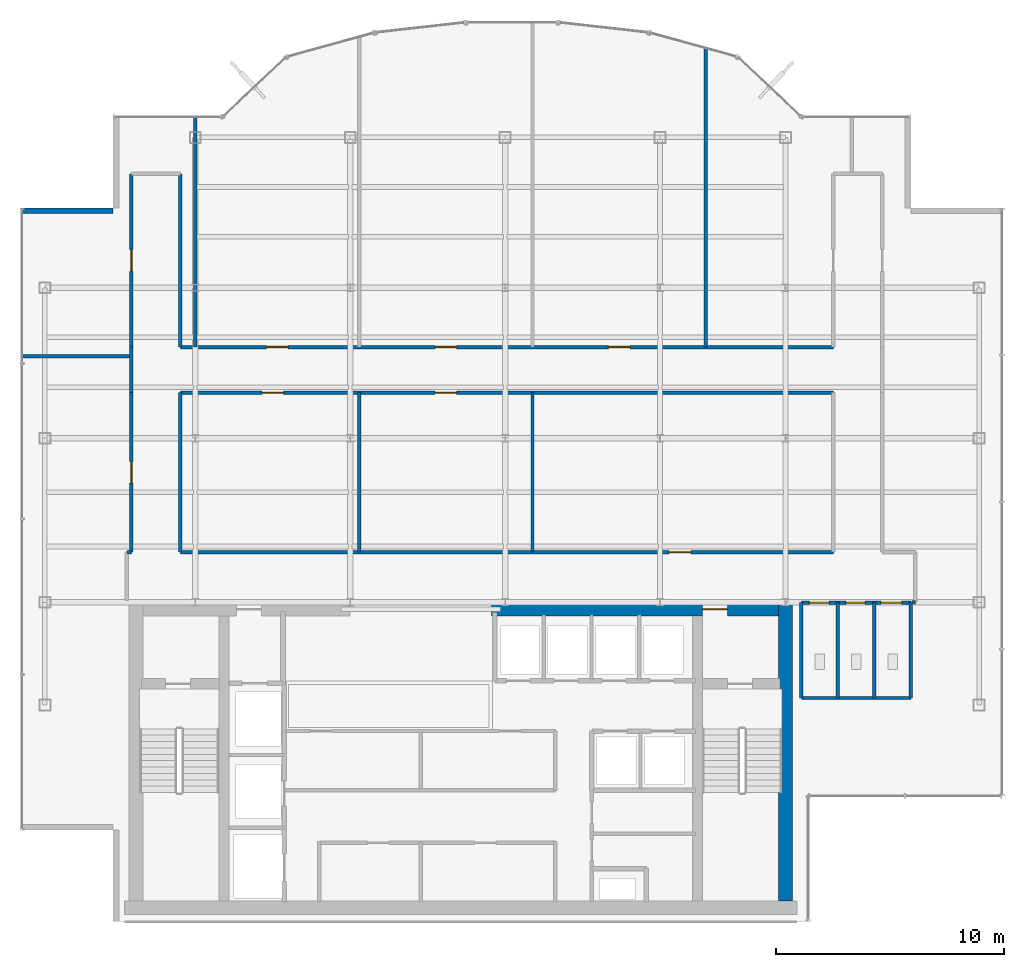
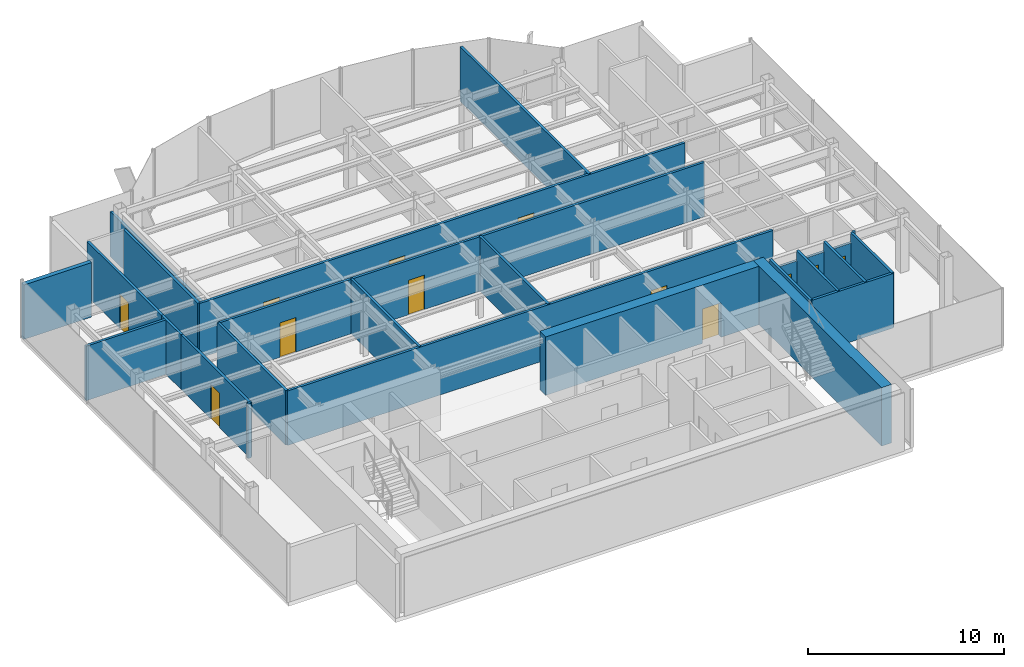
# One storey, part 18 of 22: 24 walls, 12 doors, 12 openings.
"""IFC4 building model written with IfcOpenShell, lengths in metres."""

import ifcopenshell
import ifcopenshell.guid

model = None  # the IFC model being written
_history = None  # IfcOwnerHistory: only IFC2X3 demands one
_inside = {}  # id of a spatial element -> (the spatial element, [elements in it])
_under = {}  # id of a project, library or spatial element -> (it, [spatial elements below it])
_declared = {}  # id of a project -> (the project, [libraries it declares])
_typed = {}  # id of a type object -> (the type object, [elements of that type])
_made_of = {}  # id of a material, layer set ... -> (it, [elements and type objects made of it])


def new_model(schema):
    """Start an empty IFC model of exactly this schema.

    Asked for "IFC4X3", IfcOpenShell would pick the latest addendum, in which some entities
    have other attributes; the version numbers below select the first issue.
    IFC2X3 requires an IfcOwnerHistory on every rooted entity: one is made here for all.
    """
    global model, _history
    if schema == "IFC4X3":
        model = ifcopenshell.file(schema_version=(4, 3, 0, 0))
    else:
        model = ifcopenshell.file(schema=schema)
    _inside.clear()
    _under.clear()
    _declared.clear()
    _typed.clear()
    _made_of.clear()
    _history = None
    if model.schema == "IFC2X3":
        org = make("IfcOrganization", Name="unknown")
        user = make(
            "IfcPersonAndOrganization",
            ThePerson=make("IfcPerson", FamilyName="unknown"),
            TheOrganization=org,
        )
        app = make(
            "IfcApplication",
            ApplicationDeveloper=org,
            Version="unknown",
            ApplicationFullName="unknown",
            ApplicationIdentifier="unknown",
        )
        _history = make(
            "IfcOwnerHistory",
            OwningUser=user,
            OwningApplication=app,
            ChangeAction="ADDED",
            CreationDate=0,
        )
    return model


def make(cls, **values):
    """One entity of the class cls with the attributes given. An attribute that is None is left unset."""
    return model.create_entity(
        cls, **{name: value for name, value in values.items() if value is not None}
    )


def rooted(cls, **values):
    """An entity with a GlobalId (a new one), such as an element, a storey or a relation."""
    return make(cls, GlobalId=ifcopenshell.guid.new(), OwnerHistory=_history, **values)


def si_unit(unit_type, name, prefix=None):
    """IfcSIUnit, for example si_unit("LENGTHUNIT", "METRE", prefix="MILLI")."""
    return make("IfcSIUnit", UnitType=unit_type, Prefix=prefix, Name=name)


def derived_unit(unit_type, elements):
    """IfcDerivedUnit: a product of units, each with its exponent."""
    return make(
        "IfcDerivedUnit",
        Elements=[
            make("IfcDerivedUnitElement", Unit=unit, Exponent=power)
            for unit, power in elements
        ],
        UnitType=unit_type,
    )


def assignment(units):
    """IfcUnitAssignment: the units of a project."""
    return None if units is None else make("IfcUnitAssignment", Units=units)


def point(xyz):
    """IfcCartesianPoint."""
    return None if xyz is None else make("IfcCartesianPoint", Coordinates=xyz)


def direction(xyz):
    """IfcDirection."""
    return None if xyz is None else make("IfcDirection", DirectionRatios=xyz)


def frame(location, z_axis=None, x_axis=None):
    """IfcAxis2Placement3D, a coordinate frame: its origin and axes. An axis left out is left unset."""
    return make(
        "IfcAxis2Placement3D",
        Location=point(location),
        Axis=direction(z_axis),
        RefDirection=direction(x_axis),
    )


def frame_2d(location, x_axis=None):
    """IfcAxis2Placement2D, a coordinate frame in the plane: its origin and x axis."""
    return make(
        "IfcAxis2Placement2D", Location=point(location), RefDirection=direction(x_axis)
    )


def origin():
    """The frame at (0, 0, 0) with its axes left unset."""
    return frame((0.0, 0.0, 0.0))


def place(relative_to, where):
    """IfcLocalPlacement: puts the frame where relative to a parent placement (None: the world)."""
    return make(
        "IfcLocalPlacement", PlacementRelTo=relative_to, RelativePlacement=where
    )


def context(
    kind, dimensions, precision=None, world=None, true_north=None, identifier=None
):
    """IfcGeometricRepresentationContext, for example the 3D "Model" context."""
    return make(
        "IfcGeometricRepresentationContext",
        ContextIdentifier=identifier,
        ContextType=kind,
        CoordinateSpaceDimension=dimensions,
        Precision=precision,
        WorldCoordinateSystem=world,
        TrueNorth=true_north,
    )


def subcontext(parent, identifier, kind, view, scale=None):
    """IfcGeometricRepresentationSubContext, for example "Body" below "Model"."""
    return make(
        "IfcGeometricRepresentationSubContext",
        ContextIdentifier=identifier,
        ContextType=kind,
        ParentContext=parent,
        TargetScale=scale,
        TargetView=view,
    )


def project(units=None, contexts=None):
    """IfcProject with its units and contexts."""
    return rooted(
        "IfcProject",
        Name="project",
        RepresentationContexts=contexts,
        UnitsInContext=assignment(units),
    )


def spatial(cls, under=None, at=None, **own):
    """A site, building, storey or space (cls), placed at a placement, below another one or the project."""
    s = rooted(cls, ObjectPlacement=at, **own)
    if under is not None:
        _under.setdefault(under.id(), (under, []))[1].append(s)
    return s


def profile(cls, at=None, kind="AREA", **sizes):
    """A parametric profile (cls). Its sizes go by their IFC names, for example OverallWidth=200.0."""
    return make(cls, ProfileType=kind, Position=at, **sizes)


def rectangle(**sizes):
    """IfcRectangleProfileDef."""
    return profile("IfcRectangleProfileDef", **sizes)


def extrude(swept, where, along, depth):
    """IfcExtrudedAreaSolid: the profile swept, set in the frame where, extruded along a direction by depth."""
    return make(
        "IfcExtrudedAreaSolid",
        SweptArea=swept,
        Position=where,
        ExtrudedDirection=direction(along),
        Depth=depth,
    )


def shape(context_of_items, identifier, shape_type, items):
    """IfcShapeRepresentation: the items that make up one representation, for example the "Body"."""
    return make(
        "IfcShapeRepresentation",
        ContextOfItems=context_of_items,
        RepresentationIdentifier=identifier,
        RepresentationType=shape_type,
        Items=items,
    )


def source(mapping_origin, context_of_items, identifier, shape_type, items):
    """IfcRepresentationMap: a shape defined once, which mapped items show again and again."""
    return make(
        "IfcRepresentationMap",
        MappingOrigin=mapping_origin,
        MappedRepresentation=shape(context_of_items, identifier, shape_type, items),
    )


def transform(
    local_origin,
    x_axis=None,
    y_axis=None,
    z_axis=None,
    scale=None,
    scale2=None,
    scale3=None,
    uniform=True,
):
    """IfcCartesianTransformationOperator3D, or its non-uniform kind. x_axis, y_axis, z_axis: its Axis1, 2, 3."""
    if uniform:
        return make(
            "IfcCartesianTransformationOperator3D",
            Axis1=direction(x_axis),
            Axis2=direction(y_axis),
            LocalOrigin=point(local_origin),
            Scale=scale,
            Axis3=direction(z_axis),
        )
    return make(
        "IfcCartesianTransformationOperator3DnonUniform",
        Axis1=direction(x_axis),
        Axis2=direction(y_axis),
        LocalOrigin=point(local_origin),
        Scale=scale,
        Axis3=direction(z_axis),
        Scale2=scale2,
        Scale3=scale3,
    )


def mapped(mapping_source, mapping_target):
    """IfcMappedItem: shows the shape of a source again, moved by a transform."""
    return make(
        "IfcMappedItem", MappingSource=mapping_source, MappingTarget=mapping_target
    )


def material(Name=None, Category=None):
    """IfcMaterial."""
    return make("IfcMaterial", Name=Name, Category=Category)


def layer(
    of_material, thickness, ventilated=None, Name=None, Category=None, Priority=None
):
    """IfcMaterialLayer: one layer of a wall or slab, of a material (None: an air gap)."""
    return make(
        "IfcMaterialLayer",
        Material=of_material,
        LayerThickness=thickness,
        IsVentilated=ventilated,
        Name=Name,
        Category=Category,
        Priority=Priority,
    )


def layer_set(layers, Name=None):
    """IfcMaterialLayerSet."""
    return make("IfcMaterialLayerSet", MaterialLayers=layers, LayerSetName=Name)


def made_of(thing, what):
    """Note that an element or type object is made of a material, layer set ...; save() writes the relation."""
    if what is not None:
        _made_of.setdefault(what.id(), (what, []))[1].append(thing)
    return thing


def type_object(cls, material=None, **own):
    """A type object (cls), such as IfcWallType, which elements share."""
    return made_of(rooted(cls, **own), material)


def element(
    cls,
    number,
    at=None,
    inside=None,
    cuts=None,
    type_object=None,
    material=None,
    context=None,
    identifier="Body",
    shape_type=None,
    held_by="IfcProductDefinitionShape",
    body=None,
    shapes=None,
    **own,
):
    """One element of the class cls, such as IfcWall. Its Tag is "e" and its number.

    at: its placement. inside: the storey or other place that contains it. cuts: it is an
    opening in that element (IfcRelVoidsElement). A single representation is given by context,
    identifier, shape_type and body (its items); several are given by shapes. held_by: the class
    of the entity that holds the representations. save() writes the other relations.
    """
    e = rooted(cls, Tag="e%d" % number, ObjectPlacement=at, **own)
    if body is not None:
        shapes = [shape(context, identifier, shape_type, body)]
    if shapes is not None:
        e.Representation = make(held_by, Representations=shapes)
    if inside is not None:
        _inside.setdefault(inside.id(), (inside, []))[1].append(e)
    if cuts is not None:
        rooted(
            "IfcRelVoidsElement", RelatingBuildingElement=cuts, RelatedOpeningElement=e
        )
    if type_object is not None:
        _typed.setdefault(type_object.id(), (type_object, []))[1].append(e)
    return made_of(e, material)


def fill(opening, filler):
    """IfcRelFillsElement: the door or window that sits in an opening."""
    return rooted(
        "IfcRelFillsElement",
        RelatingOpeningElement=opening,
        RelatedBuildingElement=filler,
    )


def aggregate(whole, parts):
    """IfcRelAggregates: a whole, such as a stair, and the parts it consists of."""
    return rooted("IfcRelAggregates", RelatingObject=whole, RelatedObjects=parts)


def save(model, path):
    """Write the relations noted so far, then the file.

    IfcRelAggregates (storeys below a building ...), IfcRelContainedInSpatialStructure (elements
    in a storey), IfcRelDefinesByType, IfcRelAssociatesMaterial and IfcRelDeclares: one each for
    every whole, place, type object, material and project.
    """
    for whole, parts in _under.values():
        aggregate(whole, parts)
    for where, things in _inside.values():
        rooted(
            "IfcRelContainedInSpatialStructure",
            RelatedElements=things,
            RelatingStructure=where,
        )
    for kind, things in _typed.values():
        rooted("IfcRelDefinesByType", RelatedObjects=things, RelatingType=kind)
    for what, things in _made_of.values():
        rooted("IfcRelAssociatesMaterial", RelatedObjects=things, RelatingMaterial=what)
    for by, libraries in _declared.values():
        rooted("IfcRelDeclares", RelatingContext=by, RelatedDefinitions=libraries)
    model.write(path)


model = new_model("IFC4")

# Units and contexts
model_context = context("Model", 3, precision=1e-05, world=origin(), true_north=direction((0.0, 1.0)))
body_context = subcontext(model_context, "Body", "Model", "MODEL_VIEW")
ifc_project = project(units=[si_unit("LENGTHUNIT", "METRE"), si_unit("AREAUNIT", "SQUARE_METRE"), si_unit("VOLUMEUNIT", "CUBIC_METRE"), si_unit("PLANEANGLEUNIT", "RADIAN"), si_unit("MASSUNIT", "GRAM", prefix="KILO"), derived_unit("THERMALTRANSMITTANCEUNIT", [(si_unit("POWERUNIT", "WATT"), 1), (si_unit("LENGTHUNIT", "METRE"), -2), (si_unit("THERMODYNAMICTEMPERATUREUNIT", "KELVIN"), -1)])], contexts=[model_context])

# Site, building, storey
site_placement = place(None, origin())
site = spatial("IfcSite", under=ifc_project, at=site_placement, CompositionType="ELEMENT")
building_placement = place(site_placement, origin())
building = spatial("IfcBuilding", under=site, at=building_placement, Name="Skarnbrae Concourse Arena and Tower", CompositionType="ELEMENT")
storey_placement = place(building_placement, frame((0.0, 0.0, 251.5)))
storey = spatial("IfcBuildingStorey", under=building, at=storey_placement, Name="L65", CompositionType="ELEMENT", Elevation=251.5)

# Wall
ifc_material_1 = material(Name="Concrete 50 MPa (C50/60)", Category="concrete")
ifc_layer_1 = layer(ifc_material_1, 0.60009765625)
ifc_layer_set_1 = layer_set([ifc_layer_1], Name="Concrete 50 MPa (C50/60)")
wall_type_1 = type_object("IfcWallType", Name="WALL-CORE-600-C50", PredefinedType="SHEAR", material=ifc_layer_set_1)
shared_shape_1 = source(origin(), body_context, "Body", "SweptSolid", [
    extrude(rectangle(XDim=13.10009765625, YDim=0.60009765625, at=frame_2d((6.550048828125, 0.0))), origin(), (0.0, 0.0, 1.0), 3.64990234375),
])
wall_1_placement = place(storey_placement, frame((33.5, 0.89990234375, 0.0), z_axis=(0.0, 0.0, 1.0), x_axis=(0.0, 1.0, 0.0)))
element("IfcWall", 1, at=wall_1_placement, inside=storey, type_object=wall_type_1, Name="L65 Rear core shear wall CW-E", PredefinedType="SHEAR", context=body_context, shape_type="MappedRepresentation", body=[
    mapped(shared_shape_1, transform((0.0, 0.0, 0.0))),
])

# Wall, opening, door
shared_shape_2 = source(origin(), body_context, "Body", "SweptSolid", [
    extrude(rectangle(XDim=12.599853515625, YDim=0.60009765625, at=frame_2d((6.2998046875, 0.0))), origin(), (0.0, 0.0, 1.0), 3.64990234375),
])
wall_2_placement = place(storey_placement, frame((20.60009765625, 13.699951171875, 0.0), z_axis=(0.0, 0.0, 1.0), x_axis=(1.0, 0.0, 0.0)))
wall_2 = element("IfcWall", 2, at=wall_2_placement, inside=storey, type_object=wall_type_1, Name="L65 Rear core shear wall CW-NE", PredefinedType="SHEAR", context=body_context, shape_type="MappedRepresentation", body=[
    mapped(shared_shape_2, transform((0.0, 0.0, 0.0))),
])
opening_1_placement = place(wall_2_placement, frame((9.25, 0.0, 0.0)))
opening_1 = element("IfcOpeningElement", 3, at=opening_1_placement, cuts=wall_2, Name="Opening DT-03", PredefinedType="OPENING", context=body_context, shape_type="SweptSolid", body=[
    extrude(rectangle(XDim=1.10009765625, YDim=2.14990234375, at=frame_2d((0.550048828125, 1.074951171875))), frame((0.0, 0.31005859375, 0.0), z_axis=(0.0, -1.0, 0.0), x_axis=(1.0, 0.0, 0.0)), (0.0, 0.0, 1.0), 0.6201171875),
])
ifc_material_2 = material(Name="Steel CSA G40.21 350W", Category="steel")
door_type_1 = type_object("IfcDoorType", Name="DOOR-FIRE-1100-90M", OperationType="NOTDEFINED", PredefinedType="DOOR", material=ifc_material_2)
shared_shape_3 = source(origin(), body_context, "Body", "SweptSolid", [
    extrude(rectangle(XDim=1.10009765625, YDim=2.14990234375, at=frame_2d((0.550048828125, 1.074951171875))), frame((0.0, 0.02490234375, 0.0), z_axis=(0.0, -1.0, 0.0), x_axis=(1.0, 0.0, 0.0)), (0.0, 0.0, 1.0), 0.050048828125),
])
door_1_placement = place(opening_1_placement, origin())
door_1 = element("IfcDoor", 4, at=door_1_placement, inside=storey, type_object=door_type_1, Name="D-1956 Stair ST-2 Vestibule Door", OperationType="SINGLE_SWING_LEFT", OverallHeight=2.14990234375, OverallWidth=1.10009765625, PredefinedType="DOOR", context=body_context, shape_type="MappedRepresentation", body=[
    mapped(shared_shape_3, transform((0.0, 0.0, 0.0))),
])
fill(opening_1, door_1)

# Walls
ifc_material_3 = material(Name="Precast concrete 40 MPa (C40/50)", Category="concrete")
ifc_layer_2 = layer(ifc_material_3, 0.25)
ifc_layer_set_2 = layer_set([ifc_layer_2], Name="Precast concrete 40 MPa (C40/50)")
wall_type_2 = type_object("IfcWallType", Name="WALL-EXT-SPANDREL-250", PredefinedType="STANDARD", material=ifc_layer_set_2)
shared_shape_4 = source(origin(), body_context, "Body", "SweptSolid", [
    extrude(rectangle(XDim=4.0, YDim=0.25, at=frame_2d((2.0, 0.0))), origin(), (0.0, 0.0, 1.0), 3.39990234375),
])
wall_3_placement = place(storey_placement, frame((4.0, 31.175048828125, 0.0), z_axis=(0.0, 0.0, 1.0), x_axis=(-1.0, 0.0, 0.0)))
element("IfcWall", 5, at=wall_3_placement, inside=storey, type_object=wall_type_2, Name="L65 Notched corner insulated return wall 17", PredefinedType="STANDARD", context=body_context, shape_type="MappedRepresentation", body=[
    mapped(shared_shape_4, transform((0.0, 0.0, 0.0))),
])
ifc_material_4 = material(Name="Gypsum board on cold-formed steel studs", Category="steel")
ifc_layer_3 = layer(ifc_material_4, 0.14990234375)
ifc_layer_set_3 = layer_set([ifc_layer_3], Name="Gypsum board on cold-formed steel studs")
wall_type_3 = type_object("IfcWallType", Name="WALL-PART-150", PredefinedType="PARTITIONING", material=ifc_layer_set_3)
shared_shape_5 = source(origin(), body_context, "Body", "SweptSolid", [
    extrude(rectangle(XDim=4.800048828125, YDim=0.14990234375, at=frame_2d((2.39990234375, 0.0))), origin(), (0.0, 0.0, 1.0), 3.39990234375),
])
wall_4_placement = place(storey_placement, frame((34.199951171875, 9.800048828125, 0.0), z_axis=(0.0, 0.0, 1.0), x_axis=(1.0, 0.0, 0.0)))
element("IfcWall", 6, at=wall_4_placement, inside=storey, type_object=wall_type_3, Name="L65 Interior partition wall W-L65-WC-S", PredefinedType="PARTITIONING", context=body_context, shape_type="MappedRepresentation", body=[
    mapped(shared_shape_5, transform((0.0, 0.0, 0.0))),
])
shared_shape_6 = source(origin(), body_context, "Body", "SweptSolid", [
    extrude(rectangle(XDim=4.179931640625, YDim=0.14990234375, at=frame_2d((2.08984375, 0.0))), origin(), (0.0, 0.0, 1.0), 3.39990234375),
])
for number, where, z_axis, x_axis, name in (
    (7, (39.0, 9.800048828125, 0.0), (0.0, 0.0, 1.0), (0.0, 1.0, 0.0), "L65 Interior partition wall W-L65-WC-E"),
    (8, (34.199951171875, 9.800048828125, 0.0), (0.0, 0.0, 1.0), (0.0, 1.0, 0.0), "L65 Interior partition wall W-L65-WC-W"),
    (9, (35.800048828125, 9.800048828125, 0.0), (0.0, 0.0, 1.0), (0.0, 1.0, 0.0), "L65 Interior partition wall W-L65-WC-D1"),
    (10, (37.39990234375, 9.800048828125, 0.0), (0.0, 0.0, 1.0), (0.0, 1.0, 0.0), "L65 Interior partition wall W-L65-WC-D2"),
):
    element("IfcWall", number, at=place(storey_placement, frame(where, z_axis=z_axis, x_axis=x_axis)), inside=storey, type_object=wall_type_3, Name=name, PredefinedType="PARTITIONING", context=body_context, shape_type="MappedRepresentation", body=[
        mapped(shared_shape_6, transform((0.0, 0.0, 0.0))),
    ])
ifc_layer_4 = layer(ifc_material_4, 0.14990234375)
ifc_layer_set_4 = layer_set([ifc_layer_4], Name="Gypsum board on cold-formed steel studs")
wall_type_4 = type_object("IfcWallType", Name="WALL-PART-150-1HR", PredefinedType="PARTITIONING", material=ifc_layer_set_4)
shared_shape_7 = source(origin(), body_context, "Body", "SweptSolid", [
    extrude(rectangle(XDim=0.199951171875, YDim=0.14990234375, at=frame_2d((0.10009765625, 0.0))), origin(), (0.0, 0.0, 1.0), 3.39990234375),
])
wall_5_placement = place(storey_placement, frame((4.60009765625, 16.199951171875, 0.0), z_axis=(0.0, 0.0, 1.0), x_axis=(1.0, 0.0, 0.0)))
element("IfcWall", 11, at=wall_5_placement, inside=storey, type_object=wall_type_4, Name="L65 Interior partition wall W-L65-COR-02", PredefinedType="PARTITIONING", context=body_context, shape_type="MappedRepresentation", body=[
    mapped(shared_shape_7, transform((0.0, 0.0, 0.0))),
])

# Wall, opening, door
shared_shape_8 = source(origin(), body_context, "Body", "SweptSolid", [
    extrude(rectangle(XDim=7.60009765625, YDim=0.14990234375, at=frame_2d((3.800048828125, 0.0))), origin(), (0.0, 0.0, 1.0), 3.39990234375),
])
wall_6_placement = place(storey_placement, frame((4.800048828125, 25.199951171875, 0.0), z_axis=(0.0, 0.0, 1.0), x_axis=(0.0, 1.0, 0.0)))
wall_6 = element("IfcWall", 12, at=wall_6_placement, inside=storey, type_object=wall_type_4, Name="L65 Interior partition wall W-L65-COR-05", PredefinedType="PARTITIONING", context=body_context, shape_type="MappedRepresentation", body=[
    mapped(shared_shape_8, transform((0.0, 0.0, 0.0))),
])
opening_2_placement = place(wall_6_placement, frame((3.324951171875, 0.0, 0.0)))
opening_2 = element("IfcOpeningElement", 13, at=opening_2_placement, cuts=wall_6, Name="Opening DT-04", PredefinedType="OPENING", context=body_context, shape_type="SweptSolid", body=[
    extrude(rectangle(XDim=0.949951171875, YDim=2.14990234375, at=frame_2d((0.47509765625, 1.074951171875))), frame((0.0, 0.0849609375, 0.0), z_axis=(0.0, -1.0, 0.0), x_axis=(1.0, 0.0, 0.0)), (0.0, 0.0, 1.0), 0.169921875),
])
door_type_2 = type_object("IfcDoorType", Name="DOOR-INT-950-45M", OperationType="NOTDEFINED", PredefinedType="DOOR", material=ifc_material_2)
shared_shape_9 = source(origin(), body_context, "Body", "SweptSolid", [
    extrude(rectangle(XDim=0.949951171875, YDim=2.14990234375, at=frame_2d((0.47509765625, 1.074951171875))), frame((0.0, 0.02490234375, 0.0), z_axis=(0.0, -1.0, 0.0), x_axis=(1.0, 0.0, 0.0)), (0.0, 0.0, 1.0), 0.050048828125),
])
door_2_placement = place(opening_2_placement, origin())
door_2 = element("IfcDoor", 14, at=door_2_placement, inside=storey, type_object=door_type_2, Name="D-1976 L65 Suite Door 02", OperationType="SINGLE_SWING_RIGHT", OverallHeight=2.14990234375, OverallWidth=0.949951171875, PredefinedType="DOOR", context=body_context, shape_type="MappedRepresentation", body=[
    mapped(shared_shape_9, transform((0.0, 0.0, 0.0))),
])
fill(opening_2, door_2)

# Wall
wall_7_placement = place(storey_placement, frame((6.949951171875, 32.800048828125, 0.0), z_axis=(0.0, 0.0, 1.0), x_axis=(0.0, -1.0, 0.0)))
element("IfcWall", 15, at=wall_7_placement, inside=storey, type_object=wall_type_4, Name="L65 Interior partition wall W-L65-COR-07", PredefinedType="PARTITIONING", context=body_context, shape_type="MappedRepresentation", body=[
    mapped(shared_shape_8, transform((0.0, 0.0, 0.0))),
])

# Wall, opening, door
shared_shape_10 = source(origin(), body_context, "Body", "SweptSolid", [
    extrude(rectangle(XDim=7.0, YDim=0.14990234375, at=frame_2d((3.5, 0.0))), origin(), (0.0, 0.0, 1.0), 3.39990234375),
])
wall_8_placement = place(storey_placement, frame((4.800048828125, 16.199951171875, 0.0), z_axis=(0.0, 0.0, 1.0), x_axis=(0.0, 1.0, 0.0)))
wall_8 = element("IfcWall", 16, at=wall_8_placement, inside=storey, type_object=wall_type_4, Name="L65 Interior partition wall W-L65-COR-03", PredefinedType="PARTITIONING", context=body_context, shape_type="MappedRepresentation", body=[
    mapped(shared_shape_10, transform((0.0, 0.0, 0.0))),
])
opening_3_placement = place(wall_8_placement, frame((3.02490234375, 0.0, 0.0)))
opening_3 = element("IfcOpeningElement", 17, at=opening_3_placement, cuts=wall_8, Name="Opening DT-04", PredefinedType="OPENING", context=body_context, shape_type="SweptSolid", body=[
    extrude(rectangle(XDim=0.949951171875, YDim=2.14990234375, at=frame_2d((0.47509765625, 1.074951171875))), frame((0.0, 0.0849609375, 0.0), z_axis=(0.0, -1.0, 0.0), x_axis=(1.0, 0.0, 0.0)), (0.0, 0.0, 1.0), 0.169921875),
])
door_3_placement = place(opening_3_placement, origin())
door_3 = element("IfcDoor", 18, at=door_3_placement, inside=storey, type_object=door_type_2, Name="D-1975 L65 Suite Door 01", OperationType="SINGLE_SWING_LEFT", OverallHeight=2.14990234375, OverallWidth=0.949951171875, PredefinedType="DOOR", context=body_context, shape_type="MappedRepresentation", body=[
    mapped(shared_shape_9, transform((0.0, 0.0, 0.0))),
])
fill(opening_3, door_3)

# Walls
wall_9_placement = place(storey_placement, frame((6.949951171875, 23.199951171875, 0.0), z_axis=(0.0, 0.0, 1.0), x_axis=(0.0, -1.0, 0.0)))
element("IfcWall", 19, at=wall_9_placement, inside=storey, type_object=wall_type_4, Name="L65 Interior partition wall W-L65-COR-20", PredefinedType="PARTITIONING", context=body_context, shape_type="MappedRepresentation", body=[
    mapped(shared_shape_10, transform((0.0, 0.0, 0.0))),
])
for number, where, z_axis, x_axis, name in (
    (20, (14.800048828125, 23.199951171875, 0.0), (0.0, 0.0, 1.0), (0.0, -1.0, 0.0), "L65 Interior partition wall W-L65-DEM-23"),
    (21, (22.39990234375, 23.199951171875, 0.0), (0.0, 0.0, 1.0), (0.0, -1.0, 0.0), "L65 Interior partition wall W-L65-DEM-25"),
):
    element("IfcWall", number, at=place(storey_placement, frame(where, z_axis=z_axis, x_axis=x_axis)), inside=storey, type_object=wall_type_3, Name=name, PredefinedType="PARTITIONING", context=body_context, shape_type="MappedRepresentation", body=[
        mapped(shared_shape_10, transform((0.0, 0.0, 0.0))),
    ])
shared_shape_11 = source(origin(), body_context, "Body", "SweptSolid", [
    extrude(rectangle(XDim=0.14990234375, YDim=0.14990234375, at=frame_2d((0.074951171875, 0.0))), origin(), (0.0, 0.0, 1.0), 3.39990234375),
])
wall_10_placement = place(storey_placement, frame((39.199951171875, 14.0, 0.0), z_axis=(0.0, 0.0, 1.0), x_axis=(-1.0, 0.0, 0.0)))
element("IfcWall", 22, at=wall_10_placement, inside=storey, type_object=wall_type_4, Name="L65 Interior partition wall W-L65-COR-16", PredefinedType="PARTITIONING", context=body_context, shape_type="MappedRepresentation", body=[
    mapped(shared_shape_11, transform((0.0, 0.0, 0.0))),
])

# Wall, openings, doors
shared_shape_12 = source(origin(), body_context, "Body", "SweptSolid", [
    extrude(rectangle(XDim=4.800048828125, YDim=0.14990234375, at=frame_2d((2.39990234375, 0.0))), origin(), (0.0, 0.0, 1.0), 2.787109375),
])
wall_11_placement = place(storey_placement, frame((34.199951171875, 13.97998046875, 0.0), z_axis=(0.0, 0.0, 1.0), x_axis=(1.0, 0.0, 0.0)))
wall_11 = element("IfcWall", 23, at=wall_11_placement, inside=storey, type_object=wall_type_3, Name="L65 Interior partition wall W-L65-WC-N", PredefinedType="PARTITIONING", context=body_context, shape_type="MappedRepresentation", body=[
    mapped(shared_shape_12, transform((0.0, 0.0, 0.0))),
])
opening_4_placement = place(wall_11_placement, frame((0.35009765625, 0.0, 0.0)))
opening_4 = element("IfcOpeningElement", 24, at=opening_4_placement, cuts=wall_11, Name="Opening DT-06", PredefinedType="OPENING", context=body_context, shape_type="SweptSolid", body=[
    extrude(rectangle(XDim=0.85009765625, YDim=2.10009765625, at=frame_2d((0.425048828125, 1.050048828125))), frame((0.0, 0.0849609375, 0.0), z_axis=(0.0, -1.0, 0.0), x_axis=(1.0, 0.0, 0.0)), (0.0, 0.0, 1.0), 0.169921875),
])
opening_5_placement = place(wall_11_placement, frame((1.949951171875, 0.0, 0.0)))
opening_5 = element("IfcOpeningElement", 25, at=opening_5_placement, cuts=wall_11, Name="Opening DT-06", PredefinedType="OPENING", context=body_context, shape_type="SweptSolid", body=[
    extrude(rectangle(XDim=0.85009765625, YDim=2.10009765625, at=frame_2d((0.425048828125, 1.050048828125))), frame((0.0, 0.0849609375, 0.0), z_axis=(0.0, -1.0, 0.0), x_axis=(1.0, 0.0, 0.0)), (0.0, 0.0, 1.0), 0.169921875),
])
opening_6_placement = place(wall_11_placement, frame((3.5, 0.0, 0.0)))
opening_6 = element("IfcOpeningElement", 26, at=opening_6_placement, cuts=wall_11, Name="Opening DT-05", PredefinedType="OPENING", context=body_context, shape_type="SweptSolid", body=[
    extrude(rectangle(XDim=0.89990234375, YDim=2.10009765625, at=frame_2d((0.449951171875, 1.050048828125))), frame((0.0, 0.0849609375, 0.0), z_axis=(0.0, -1.0, 0.0), x_axis=(1.0, 0.0, 0.0)), (0.0, 0.0, 1.0), 0.169921875),
])
ifc_material_5 = material(Name="Architectural oak veneer timber leaf", Category="wood")
door_type_3 = type_object("IfcDoorType", Name="DOOR-INT-850", OperationType="NOTDEFINED", PredefinedType="DOOR", material=ifc_material_5)
shared_shape_13 = source(origin(), body_context, "Body", "SweptSolid", [
    extrude(rectangle(XDim=0.85009765625, YDim=2.10009765625, at=frame_2d((0.425048828125, 1.050048828125))), frame((0.0, 0.02490234375, 0.0), z_axis=(0.0, -1.0, 0.0), x_axis=(1.0, 0.0, 0.0)), (0.0, 0.0, 1.0), 0.050048828125),
])
door_4_placement = place(opening_4_placement, frame((0.85009765625, 0.0, 0.0), z_axis=(0.0, 0.0, 1.0), x_axis=(-1.0, 0.0, 0.0)))
door_4 = element("IfcDoor", 27, at=door_4_placement, inside=storey, type_object=door_type_3, Name="D-1972 Male Washroom Door", OperationType="SINGLE_SWING_LEFT", OverallHeight=2.10009765625, OverallWidth=0.85009765625, PredefinedType="DOOR", context=body_context, shape_type="MappedRepresentation", body=[
    mapped(shared_shape_13, transform((0.0, 0.0, 0.0))),
])
fill(opening_4, door_4)
door_5_placement = place(opening_5_placement, frame((0.85009765625, 0.0, 0.0), z_axis=(0.0, 0.0, 1.0), x_axis=(-1.0, 0.0, 0.0)))
door_5 = element("IfcDoor", 28, at=door_5_placement, inside=storey, type_object=door_type_3, Name="D-1973 Female Washroom Door", OperationType="SINGLE_SWING_RIGHT", OverallHeight=2.10009765625, OverallWidth=0.85009765625, PredefinedType="DOOR", context=body_context, shape_type="MappedRepresentation", body=[
    mapped(shared_shape_13, transform((0.0, 0.0, 0.0))),
])
fill(opening_5, door_5)
door_type_4 = type_object("IfcDoorType", Name="DOOR-INT-900", OperationType="NOTDEFINED", PredefinedType="DOOR", material=ifc_material_5)
shared_shape_14 = source(origin(), body_context, "Body", "SweptSolid", [
    extrude(rectangle(XDim=0.89990234375, YDim=2.10009765625, at=frame_2d((0.449951171875, 1.050048828125))), frame((0.0, 0.02490234375, 0.0), z_axis=(0.0, -1.0, 0.0), x_axis=(1.0, 0.0, 0.0)), (0.0, 0.0, 1.0), 0.050048828125),
])
door_6_placement = place(opening_6_placement, frame((0.89990234375, 0.0, 0.0), z_axis=(0.0, 0.0, 1.0), x_axis=(-1.0, 0.0, 0.0)))
door_6 = element("IfcDoor", 29, at=door_6_placement, inside=storey, type_object=door_type_4, Name="D-1974 Accessible WC Door", OperationType="SINGLE_SWING_LEFT", OverallHeight=2.10009765625, OverallWidth=0.89990234375, PredefinedType="DOOR", context=body_context, shape_type="MappedRepresentation", body=[
    mapped(shared_shape_14, transform((0.0, 0.0, 0.0))),
])
fill(opening_6, door_6)

# Wall
shared_shape_15 = source(origin(), body_context, "Body", "SweptSolid", [
    extrude(rectangle(XDim=2.0, YDim=0.14990234375, at=frame_2d((1.0, 0.0))), origin(), (0.0, 0.0, 1.0), 3.39990234375),
])
wall_12_placement = place(storey_placement, frame((4.800048828125, 23.199951171875, 0.0), z_axis=(0.0, 0.0, 1.0), x_axis=(0.0, 1.0, 0.0)))
element("IfcWall", 30, at=wall_12_placement, inside=storey, type_object=wall_type_4, Name="L65 Interior partition wall W-L65-COR-04", PredefinedType="PARTITIONING", context=body_context, shape_type="MappedRepresentation", body=[
    mapped(shared_shape_15, transform((0.0, 0.0, 0.0))),
])

# Wall, openings, doors
shared_shape_16 = source(origin(), body_context, "Body", "SweptSolid", [
    extrude(rectangle(XDim=28.650146484375, YDim=0.14990234375, at=frame_2d((14.3251953125, 0.0))), origin(), (0.0, 0.0, 1.0), 3.39990234375),
])
wall_13_placement = place(storey_placement, frame((6.949951171875, 25.199951171875, 0.0), z_axis=(0.0, 0.0, 1.0), x_axis=(1.0, 0.0, 0.0)))
wall_13 = element("IfcWall", 31, at=wall_13_placement, inside=storey, type_object=wall_type_4, Name="L65 Interior partition wall W-L65-COR-08", PredefinedType="PARTITIONING", context=body_context, shape_type="MappedRepresentation", body=[
    mapped(shared_shape_16, transform((0.0, 0.0, 0.0))),
])
opening_7_placement = place(wall_13_placement, frame((3.77490234375, 0.0, 0.0)))
opening_7 = element("IfcOpeningElement", 32, at=opening_7_placement, cuts=wall_13, Name="Opening DT-04", PredefinedType="OPENING", context=body_context, shape_type="SweptSolid", body=[
    extrude(rectangle(XDim=0.949951171875, YDim=2.14990234375, at=frame_2d((0.47509765625, 1.074951171875))), frame((0.0, 0.0849609375, 0.0), z_axis=(0.0, -1.0, 0.0), x_axis=(1.0, 0.0, 0.0)), (0.0, 0.0, 1.0), 0.169921875),
])
opening_8_placement = place(wall_13_placement, frame((11.175048828125, 0.0, 0.0)))
opening_8 = element("IfcOpeningElement", 33, at=opening_8_placement, cuts=wall_13, Name="Opening DT-04", PredefinedType="OPENING", context=body_context, shape_type="SweptSolid", body=[
    extrude(rectangle(XDim=0.949951171875, YDim=2.14990234375, at=frame_2d((0.47509765625, 1.074951171875))), frame((0.0, 0.0849609375, 0.0), z_axis=(0.0, -1.0, 0.0), x_axis=(1.0, 0.0, 0.0)), (0.0, 0.0, 1.0), 0.169921875),
])
opening_9_placement = place(wall_13_placement, frame((18.77490234375, 0.0, 0.0)))
opening_9 = element("IfcOpeningElement", 34, at=opening_9_placement, cuts=wall_13, Name="Opening DT-04", PredefinedType="OPENING", context=body_context, shape_type="SweptSolid", body=[
    extrude(rectangle(XDim=0.949951171875, YDim=2.14990234375, at=frame_2d((0.47509765625, 1.074951171875))), frame((0.0, 0.0849609375, 0.0), z_axis=(0.0, -1.0, 0.0), x_axis=(1.0, 0.0, 0.0)), (0.0, 0.0, 1.0), 0.169921875),
])
door_7_placement = place(opening_7_placement, origin())
door_7 = element("IfcDoor", 35, at=door_7_placement, inside=storey, type_object=door_type_2, Name="D-1978 L65 Suite Door 04", OperationType="SINGLE_SWING_RIGHT", OverallHeight=2.14990234375, OverallWidth=0.949951171875, PredefinedType="DOOR", context=body_context, shape_type="MappedRepresentation", body=[
    mapped(shared_shape_9, transform((0.0, 0.0, 0.0))),
])
fill(opening_7, door_7)
door_8_placement = place(opening_8_placement, origin())
door_8 = element("IfcDoor", 36, at=door_8_placement, inside=storey, type_object=door_type_2, Name="D-1980 L65 Suite Door 06", OperationType="SINGLE_SWING_RIGHT", OverallHeight=2.14990234375, OverallWidth=0.949951171875, PredefinedType="DOOR", context=body_context, shape_type="MappedRepresentation", body=[
    mapped(shared_shape_9, transform((0.0, 0.0, 0.0))),
])
fill(opening_8, door_8)
door_9_placement = place(opening_9_placement, origin())
door_9 = element("IfcDoor", 37, at=door_9_placement, inside=storey, type_object=door_type_2, Name="D-1981 L65 Suite Door 07", OperationType="SINGLE_SWING_LEFT", OverallHeight=2.14990234375, OverallWidth=0.949951171875, PredefinedType="DOOR", context=body_context, shape_type="MappedRepresentation", body=[
    mapped(shared_shape_9, transform((0.0, 0.0, 0.0))),
])
fill(opening_9, door_9)

# Wall, opening, door
wall_14_placement = place(storey_placement, frame((6.949951171875, 16.199951171875, 0.0), z_axis=(0.0, 0.0, 1.0), x_axis=(1.0, 0.0, 0.0)))
wall_14 = element("IfcWall", 38, at=wall_14_placement, inside=storey, type_object=wall_type_4, Name="L65 Interior partition wall W-L65-COR-17", PredefinedType="PARTITIONING", context=body_context, shape_type="MappedRepresentation", body=[
    mapped(shared_shape_16, transform((0.0, 0.0, 0.0))),
])
opening_10_placement = place(wall_14_placement, frame((21.445068359375, 0.0, 0.0)))
opening_10 = element("IfcOpeningElement", 39, at=opening_10_placement, cuts=wall_14, Name="Opening DT-04", PredefinedType="OPENING", context=body_context, shape_type="SweptSolid", body=[
    extrude(rectangle(XDim=0.949951171875, YDim=2.14990234375, at=frame_2d((0.47509765625, 1.074951171875))), frame((0.0, 0.0849609375, 0.0), z_axis=(0.0, -1.0, 0.0), x_axis=(1.0, 0.0, 0.0)), (0.0, 0.0, 1.0), 0.169921875),
])
door_10_placement = place(opening_10_placement, origin())
door_10 = element("IfcDoor", 40, at=door_10_placement, inside=storey, type_object=door_type_2, Name="D-1982 L65 Suite Door 08", OperationType="SINGLE_SWING_RIGHT", OverallHeight=2.14990234375, OverallWidth=0.949951171875, PredefinedType="DOOR", context=body_context, shape_type="MappedRepresentation", body=[
    mapped(shared_shape_9, transform((0.0, 0.0, 0.0))),
])
fill(opening_10, door_10)

# Wall, openings, doors
wall_15_placement = place(storey_placement, frame((35.60009765625, 23.199951171875, 0.0), z_axis=(0.0, 0.0, 1.0), x_axis=(-1.0, 0.0, 0.0)))
wall_15 = element("IfcWall", 41, at=wall_15_placement, inside=storey, type_object=wall_type_4, Name="L65 Interior partition wall W-L65-COR-19", PredefinedType="PARTITIONING", context=body_context, shape_type="MappedRepresentation", body=[
    mapped(shared_shape_16, transform((0.0, 0.0, 0.0))),
])
opening_11_placement = place(wall_15_placement, frame((24.1201171875, 0.0, 0.0)))
opening_11 = element("IfcOpeningElement", 42, at=opening_11_placement, cuts=wall_15, Name="Opening DT-04", PredefinedType="OPENING", context=body_context, shape_type="SweptSolid", body=[
    extrude(rectangle(XDim=0.949951171875, YDim=2.14990234375, at=frame_2d((0.47509765625, 1.074951171875))), frame((0.0, 0.0849609375, 0.0), z_axis=(0.0, -1.0, 0.0), x_axis=(1.0, 0.0, 0.0)), (0.0, 0.0, 1.0), 0.169921875),
])
opening_12_placement = place(wall_15_placement, frame((16.52490234375, 0.0, 0.0)))
opening_12 = element("IfcOpeningElement", 43, at=opening_12_placement, cuts=wall_15, Name="Opening DT-04", PredefinedType="OPENING", context=body_context, shape_type="SweptSolid", body=[
    extrude(rectangle(XDim=0.949951171875, YDim=2.14990234375, at=frame_2d((0.47509765625, 1.074951171875))), frame((0.0, 0.0849609375, 0.0), z_axis=(0.0, -1.0, 0.0), x_axis=(1.0, 0.0, 0.0)), (0.0, 0.0, 1.0), 0.169921875),
])
door_11_placement = place(opening_11_placement, origin())
door_11 = element("IfcDoor", 44, at=door_11_placement, inside=storey, type_object=door_type_2, Name="D-1977 L65 Suite Door 03", OperationType="SINGLE_SWING_LEFT", OverallHeight=2.14990234375, OverallWidth=0.949951171875, PredefinedType="DOOR", context=body_context, shape_type="MappedRepresentation", body=[
    mapped(shared_shape_9, transform((0.0, 0.0, 0.0))),
])
fill(opening_11, door_11)
door_12_placement = place(opening_12_placement, origin())
door_12 = element("IfcDoor", 45, at=door_12_placement, inside=storey, type_object=door_type_2, Name="D-1979 L65 Suite Door 05", OperationType="SINGLE_SWING_LEFT", OverallHeight=2.14990234375, OverallWidth=0.949951171875, PredefinedType="DOOR", context=body_context, shape_type="MappedRepresentation", body=[
    mapped(shared_shape_9, transform((0.0, 0.0, 0.0))),
])
fill(opening_12, door_12)

# Walls
shared_shape_17 = source(origin(), body_context, "Body", "SweptSolid", [
    extrude(rectangle(XDim=4.780029296875, YDim=0.14990234375, at=frame_2d((2.39013671875, 0.0))), origin(), (0.0, 0.0, 1.0), 3.39990234375),
])
wall_16_placement = place(storey_placement, frame((0.02001953125, 24.800048828125, 0.0), z_axis=(0.0, 0.0, 1.0), x_axis=(1.0, 0.0, 0.0)))
element("IfcWall", 46, at=wall_16_placement, inside=storey, type_object=wall_type_3, Name="L65 Interior partition wall W-L65-DEM-21", PredefinedType="PARTITIONING", context=body_context, shape_type="MappedRepresentation", body=[
    mapped(shared_shape_17, transform((0.0, 0.0, 0.0))),
])
shared_shape_18 = source(origin(), body_context, "Body", "SweptSolid", [
    extrude(rectangle(XDim=10.080078125, YDim=0.14990234375, at=frame_2d((5.0400390625, 0.0))), origin(), (0.0, 0.0, 1.0), 2.787109375),
])
wall_17_placement = place(storey_placement, frame((7.60009765625, 35.280029296875, 0.0), z_axis=(0.0, 0.0, 1.0), x_axis=(0.0, -1.0, 0.0)))
element("IfcWall", 47, at=wall_17_placement, inside=storey, type_object=wall_type_3, Name="L65 Interior partition wall W-L65-DEM-22", PredefinedType="PARTITIONING", context=body_context, shape_type="MappedRepresentation", body=[
    mapped(shared_shape_18, transform((0.0, 0.0, 0.0))),
])
shared_shape_19 = source(origin(), body_context, "Body", "SweptSolid", [
    extrude(rectangle(XDim=13.094482421875, YDim=0.14990234375, at=frame_2d((6.54736328125, 0.0))), origin(), (0.0, 0.0, 1.0), 3.39990234375),
])
wall_18_placement = place(storey_placement, frame((30.0, 38.29443359375, 0.0), z_axis=(0.0, 0.0, 1.0), x_axis=(0.0, -1.0, 0.0)))
element("IfcWall", 48, at=wall_18_placement, inside=storey, type_object=wall_type_3, Name="L65 Interior partition wall W-L65-DEM-27", PredefinedType="PARTITIONING", context=body_context, shape_type="MappedRepresentation", body=[
    mapped(shared_shape_19, transform((0.0, 0.0, 0.0))),
])

save(model, "model.ifc")
